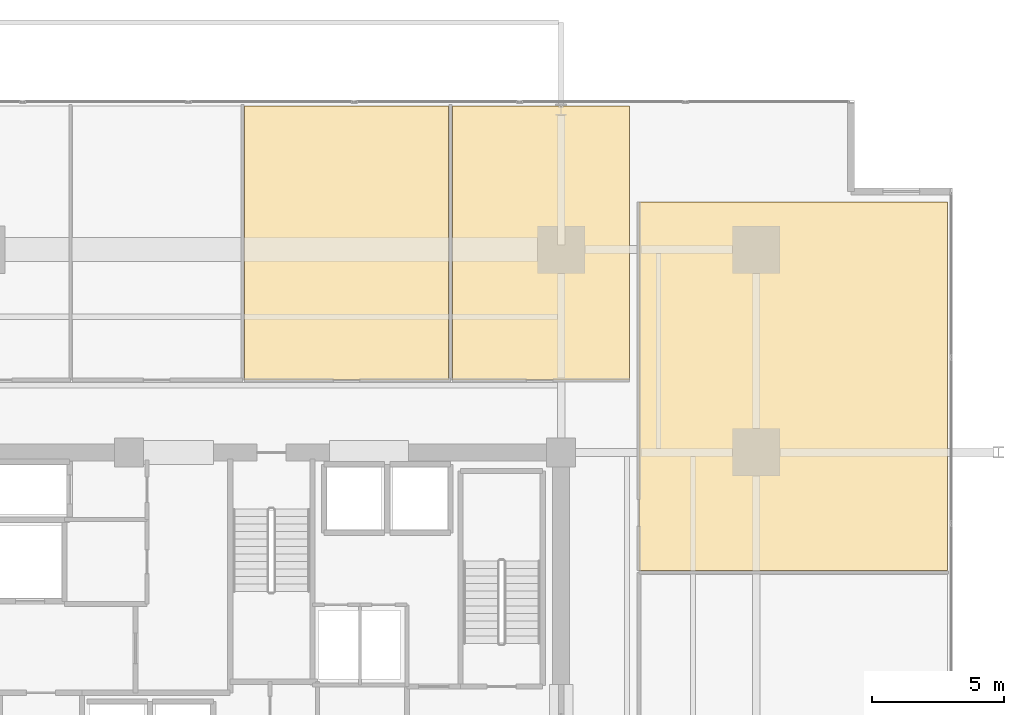
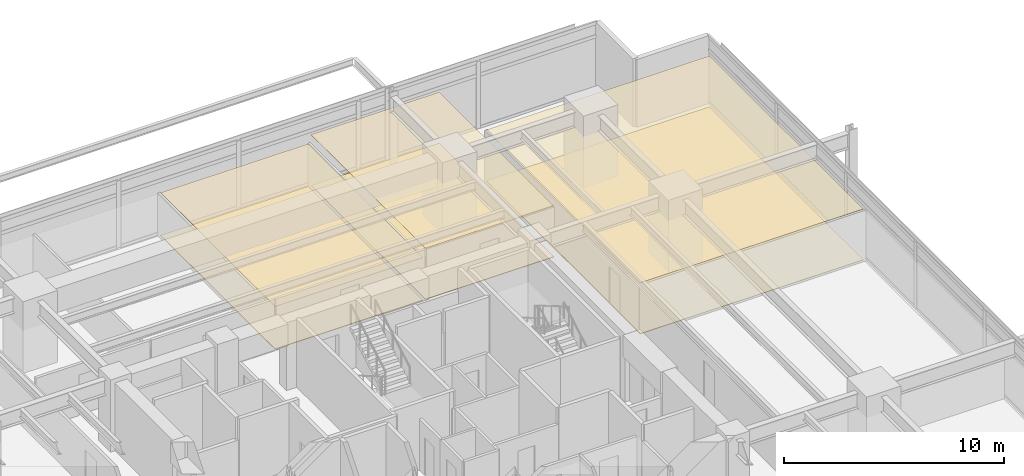
# One storey, part 22 of 22: 6 coverings.
"""IFC4 building model written with IfcOpenShell, lengths in metres."""

import ifcopenshell
import ifcopenshell.guid

model = None  # the IFC model being written
_history = None  # IfcOwnerHistory: only IFC2X3 demands one
_inside = {}  # id of a spatial element -> (the spatial element, [elements in it])
_under = {}  # id of a project, library or spatial element -> (it, [spatial elements below it])
_declared = {}  # id of a project -> (the project, [libraries it declares])
_typed = {}  # id of a type object -> (the type object, [elements of that type])
_made_of = {}  # id of a material, layer set ... -> (it, [elements and type objects made of it])


def new_model(schema):
    """Start an empty IFC model of exactly this schema.

    Asked for "IFC4X3", IfcOpenShell would pick the latest addendum, in which some entities
    have other attributes; the version numbers below select the first issue.
    IFC2X3 requires an IfcOwnerHistory on every rooted entity: one is made here for all.
    """
    global model, _history
    if schema == "IFC4X3":
        model = ifcopenshell.file(schema_version=(4, 3, 0, 0))
    else:
        model = ifcopenshell.file(schema=schema)
    _inside.clear()
    _under.clear()
    _declared.clear()
    _typed.clear()
    _made_of.clear()
    _history = None
    if model.schema == "IFC2X3":
        org = make("IfcOrganization", Name="unknown")
        user = make(
            "IfcPersonAndOrganization",
            ThePerson=make("IfcPerson", FamilyName="unknown"),
            TheOrganization=org,
        )
        app = make(
            "IfcApplication",
            ApplicationDeveloper=org,
            Version="unknown",
            ApplicationFullName="unknown",
            ApplicationIdentifier="unknown",
        )
        _history = make(
            "IfcOwnerHistory",
            OwningUser=user,
            OwningApplication=app,
            ChangeAction="ADDED",
            CreationDate=0,
        )
    return model


def make(cls, **values):
    """One entity of the class cls with the attributes given. An attribute that is None is left unset."""
    return model.create_entity(
        cls, **{name: value for name, value in values.items() if value is not None}
    )


def rooted(cls, **values):
    """An entity with a GlobalId (a new one), such as an element, a storey or a relation."""
    return make(cls, GlobalId=ifcopenshell.guid.new(), OwnerHistory=_history, **values)


def si_unit(unit_type, name, prefix=None):
    """IfcSIUnit, for example si_unit("LENGTHUNIT", "METRE", prefix="MILLI")."""
    return make("IfcSIUnit", UnitType=unit_type, Prefix=prefix, Name=name)


def assignment(units):
    """IfcUnitAssignment: the units of a project."""
    return None if units is None else make("IfcUnitAssignment", Units=units)


def point(xyz):
    """IfcCartesianPoint."""
    return None if xyz is None else make("IfcCartesianPoint", Coordinates=xyz)


def direction(xyz):
    """IfcDirection."""
    return None if xyz is None else make("IfcDirection", DirectionRatios=xyz)


def frame(location, z_axis=None, x_axis=None):
    """IfcAxis2Placement3D, a coordinate frame: its origin and axes. An axis left out is left unset."""
    return make(
        "IfcAxis2Placement3D",
        Location=point(location),
        Axis=direction(z_axis),
        RefDirection=direction(x_axis),
    )


def origin():
    """The frame at (0, 0, 0) with its axes left unset."""
    return frame((0.0, 0.0, 0.0))


def place(relative_to, where):
    """IfcLocalPlacement: puts the frame where relative to a parent placement (None: the world)."""
    return make(
        "IfcLocalPlacement", PlacementRelTo=relative_to, RelativePlacement=where
    )


def context(
    kind, dimensions, precision=None, world=None, true_north=None, identifier=None
):
    """IfcGeometricRepresentationContext, for example the 3D "Model" context."""
    return make(
        "IfcGeometricRepresentationContext",
        ContextIdentifier=identifier,
        ContextType=kind,
        CoordinateSpaceDimension=dimensions,
        Precision=precision,
        WorldCoordinateSystem=world,
        TrueNorth=true_north,
    )


def subcontext(parent, identifier, kind, view, scale=None):
    """IfcGeometricRepresentationSubContext, for example "Body" below "Model"."""
    return make(
        "IfcGeometricRepresentationSubContext",
        ContextIdentifier=identifier,
        ContextType=kind,
        ParentContext=parent,
        TargetScale=scale,
        TargetView=view,
    )


def project(units=None, contexts=None):
    """IfcProject with its units and contexts."""
    return rooted(
        "IfcProject",
        Name="project",
        RepresentationContexts=contexts,
        UnitsInContext=assignment(units),
    )


def spatial(cls, under=None, at=None, **own):
    """A site, building, storey or space (cls), placed at a placement, below another one or the project."""
    s = rooted(cls, ObjectPlacement=at, **own)
    if under is not None:
        _under.setdefault(under.id(), (under, []))[1].append(s)
    return s


def polyline(points):
    """IfcPolyline through the points."""
    return make("IfcPolyline", Points=[point(p) for p in points])


def outline(outer, holes=None, kind="AREA"):
    """IfcArbitraryClosedProfileDef: a profile drawn as a closed curve; with holes, ...WithVoids."""
    if holes is None:
        return make("IfcArbitraryClosedProfileDef", ProfileType=kind, OuterCurve=outer)
    return make(
        "IfcArbitraryProfileDefWithVoids",
        ProfileType=kind,
        OuterCurve=outer,
        InnerCurves=holes,
    )


def extrude(swept, where, along, depth):
    """IfcExtrudedAreaSolid: the profile swept, set in the frame where, extruded along a direction by depth."""
    return make(
        "IfcExtrudedAreaSolid",
        SweptArea=swept,
        Position=where,
        ExtrudedDirection=direction(along),
        Depth=depth,
    )


def shape(context_of_items, identifier, shape_type, items):
    """IfcShapeRepresentation: the items that make up one representation, for example the "Body"."""
    return make(
        "IfcShapeRepresentation",
        ContextOfItems=context_of_items,
        RepresentationIdentifier=identifier,
        RepresentationType=shape_type,
        Items=items,
    )


def material(Name=None, Category=None):
    """IfcMaterial."""
    return make("IfcMaterial", Name=Name, Category=Category)


def layer(
    of_material, thickness, ventilated=None, Name=None, Category=None, Priority=None
):
    """IfcMaterialLayer: one layer of a wall or slab, of a material (None: an air gap)."""
    return make(
        "IfcMaterialLayer",
        Material=of_material,
        LayerThickness=thickness,
        IsVentilated=ventilated,
        Name=Name,
        Category=Category,
        Priority=Priority,
    )


def layer_set(layers, Name=None):
    """IfcMaterialLayerSet."""
    return make("IfcMaterialLayerSet", MaterialLayers=layers, LayerSetName=Name)


def made_of(thing, what):
    """Note that an element or type object is made of a material, layer set ...; save() writes the relation."""
    if what is not None:
        _made_of.setdefault(what.id(), (what, []))[1].append(thing)
    return thing


def type_object(cls, material=None, **own):
    """A type object (cls), such as IfcWallType, which elements share."""
    return made_of(rooted(cls, **own), material)


def element(
    cls,
    number,
    at=None,
    inside=None,
    cuts=None,
    type_object=None,
    material=None,
    context=None,
    identifier="Body",
    shape_type=None,
    held_by="IfcProductDefinitionShape",
    body=None,
    shapes=None,
    **own,
):
    """One element of the class cls, such as IfcWall. Its Tag is "e" and its number.

    at: its placement. inside: the storey or other place that contains it. cuts: it is an
    opening in that element (IfcRelVoidsElement). A single representation is given by context,
    identifier, shape_type and body (its items); several are given by shapes. held_by: the class
    of the entity that holds the representations. save() writes the other relations.
    """
    e = rooted(cls, Tag="e%d" % number, ObjectPlacement=at, **own)
    if body is not None:
        shapes = [shape(context, identifier, shape_type, body)]
    if shapes is not None:
        e.Representation = make(held_by, Representations=shapes)
    if inside is not None:
        _inside.setdefault(inside.id(), (inside, []))[1].append(e)
    if cuts is not None:
        rooted(
            "IfcRelVoidsElement", RelatingBuildingElement=cuts, RelatedOpeningElement=e
        )
    if type_object is not None:
        _typed.setdefault(type_object.id(), (type_object, []))[1].append(e)
    return made_of(e, material)


def aggregate(whole, parts):
    """IfcRelAggregates: a whole, such as a stair, and the parts it consists of."""
    return rooted("IfcRelAggregates", RelatingObject=whole, RelatedObjects=parts)


def save(model, path):
    """Write the relations noted so far, then the file.

    IfcRelAggregates (storeys below a building ...), IfcRelContainedInSpatialStructure (elements
    in a storey), IfcRelDefinesByType, IfcRelAssociatesMaterial and IfcRelDeclares: one each for
    every whole, place, type object, material and project.
    """
    for whole, parts in _under.values():
        aggregate(whole, parts)
    for where, things in _inside.values():
        rooted(
            "IfcRelContainedInSpatialStructure",
            RelatedElements=things,
            RelatingStructure=where,
        )
    for kind, things in _typed.values():
        rooted("IfcRelDefinesByType", RelatedObjects=things, RelatingType=kind)
    for what, things in _made_of.values():
        rooted("IfcRelAssociatesMaterial", RelatedObjects=things, RelatingMaterial=what)
    for by, libraries in _declared.values():
        rooted("IfcRelDeclares", RelatingContext=by, RelatedDefinitions=libraries)
    model.write(path)


model = new_model("IFC4")

# Units and contexts
model_context = context("Model", 3, precision=1e-05, world=origin(), true_north=direction((0.0, 1.0)))
body_context = subcontext(model_context, "Body", "Model", "MODEL_VIEW")
ifc_project = project(units=[si_unit("LENGTHUNIT", "METRE"), si_unit("AREAUNIT", "SQUARE_METRE"), si_unit("VOLUMEUNIT", "CUBIC_METRE"), si_unit("PLANEANGLEUNIT", "RADIAN"), si_unit("MASSUNIT", "GRAM", prefix="KILO")], contexts=[model_context])

# Site, building, storey
site_placement = place(None, origin())
site = spatial("IfcSite", under=ifc_project, at=site_placement, CompositionType="ELEMENT")
building_placement = place(site_placement, origin())
building = spatial("IfcBuilding", under=site, at=building_placement, Name="Kovane Verandah Tower", CompositionType="ELEMENT")
storey_placement = place(building_placement, frame((0.0, 0.0, 59.60009765625)))
storey = spatial("IfcBuildingStorey", under=building, at=storey_placement, Name="L13", CompositionType="ELEMENT", Elevation=59.60009765625)

# Coverings
ifc_material_1 = material(Name="Perforated Acoustic Mineral-Fibre Ceiling Tile", Category="gypsum")
ifc_layer_1 = layer(ifc_material_1, 0.02490234375)
ifc_layer_set_1 = layer_set([ifc_layer_1], Name="Perforated Acoustic Mineral-Fibre Ceiling Tile")
covering_type_1 = type_object("IfcCoveringType", Name="CV-CEIL-25", PredefinedType="CEILING", material=ifc_layer_set_1)
covering_1_placement = place(storey_placement, frame((0.0, 0.0, 2.364990234375)))
element("IfcCovering", 1, at=covering_1_placement, inside=storey, type_object=covering_type_1, Name="L13 Focus Studio N3 Acoustic Ceiling", PredefinedType="CEILING", context=body_context, shape_type="SweptSolid", body=[
    extrude(outline(polyline([(38.98193359375, 39.25), (46.72998046875, 39.25), (46.72998046875, 49.653564453125), (38.98193359375, 49.653564453125), (38.98193359375, 39.25)])), origin(), (0.0, 0.0, 1.0), 0.02490234375),
])
covering_2_placement = place(storey_placement, frame((0.0, 0.0, 2.824951171875)))
element("IfcCovering", 2, at=covering_2_placement, inside=storey, type_object=covering_type_1, Name="L13 Breakout Pantry N4 Acoustic Ceiling", PredefinedType="CEILING", context=body_context, shape_type="SweptSolid", body=[
    extrude(outline(polyline([(46.8701171875, 39.25), (53.60009765625, 39.25), (53.60009765625, 49.653564453125), (46.8701171875, 49.653564453125), (46.8701171875, 39.25)])), origin(), (0.0, 0.0, 1.0), 0.02490234375),
])
covering_3_placement = place(storey_placement, frame((0.0, 0.0, 2.824951171875)))
element("IfcCovering", 3, at=covering_3_placement, inside=storey, type_object=covering_type_1, Name="L13 Focus Studio E3 Acoustic Ceiling", PredefinedType="CEILING", context=body_context, shape_type="SweptSolid", body=[
    extrude(outline(polyline([(53.949951171875, 32.010986328125), (65.6552734375, 32.010986328125), (65.6552734375, 46.003662109375), (53.949951171875, 46.003662109375), (53.949951171875, 32.010986328125)])), origin(), (0.0, 0.0, 1.0), 0.02490234375),
])
ifc_material_2 = material(Name="Polished Terrazzo and Raised-Access Carpet Tile Finish", Category="concrete")
ifc_layer_2 = layer(ifc_material_2, 0.030029296875)
ifc_layer_set_2 = layer_set([ifc_layer_2], Name="Polished Terrazzo and Raised-Access Carpet Tile Finish")
covering_type_2 = type_object("IfcCoveringType", Name="CV-FLOR-30", PredefinedType="FLOORING", material=ifc_layer_set_2)
covering_4_placement = place(storey_placement, origin())
element("IfcCovering", 4, at=covering_4_placement, inside=storey, type_object=covering_type_2, Name="L13 Focus Studio N3 Floor Finish", PredefinedType="FLOORING", context=body_context, shape_type="SweptSolid", body=[
    extrude(outline(polyline([(38.98193359375, 39.25), (46.72998046875, 39.25), (46.72998046875, 49.653564453125), (38.98193359375, 49.653564453125), (38.98193359375, 39.25)])), origin(), (0.0, 0.0, 1.0), 0.02978515625),
])
covering_5_placement = place(storey_placement, origin())
element("IfcCovering", 5, at=covering_5_placement, inside=storey, type_object=covering_type_2, Name="L13 Breakout Pantry N4 Floor Finish", PredefinedType="FLOORING", context=body_context, shape_type="SweptSolid", body=[
    extrude(outline(polyline([(46.8701171875, 39.25), (53.60009765625, 39.25), (53.60009765625, 49.653564453125), (46.8701171875, 49.653564453125), (46.8701171875, 39.25)])), origin(), (0.0, 0.0, 1.0), 0.02978515625),
])
covering_6_placement = place(storey_placement, origin())
element("IfcCovering", 6, at=covering_6_placement, inside=storey, type_object=covering_type_2, Name="L13 Focus Studio E3 Floor Finish", PredefinedType="FLOORING", context=body_context, shape_type="SweptSolid", body=[
    extrude(outline(polyline([(53.949951171875, 32.010986328125), (65.6552734375, 32.010986328125), (65.6552734375, 46.003662109375), (53.949951171875, 46.003662109375), (53.949951171875, 32.010986328125)])), origin(), (0.0, 0.0, 1.0), 0.02978515625),
])

save(model, "model.ifc")
